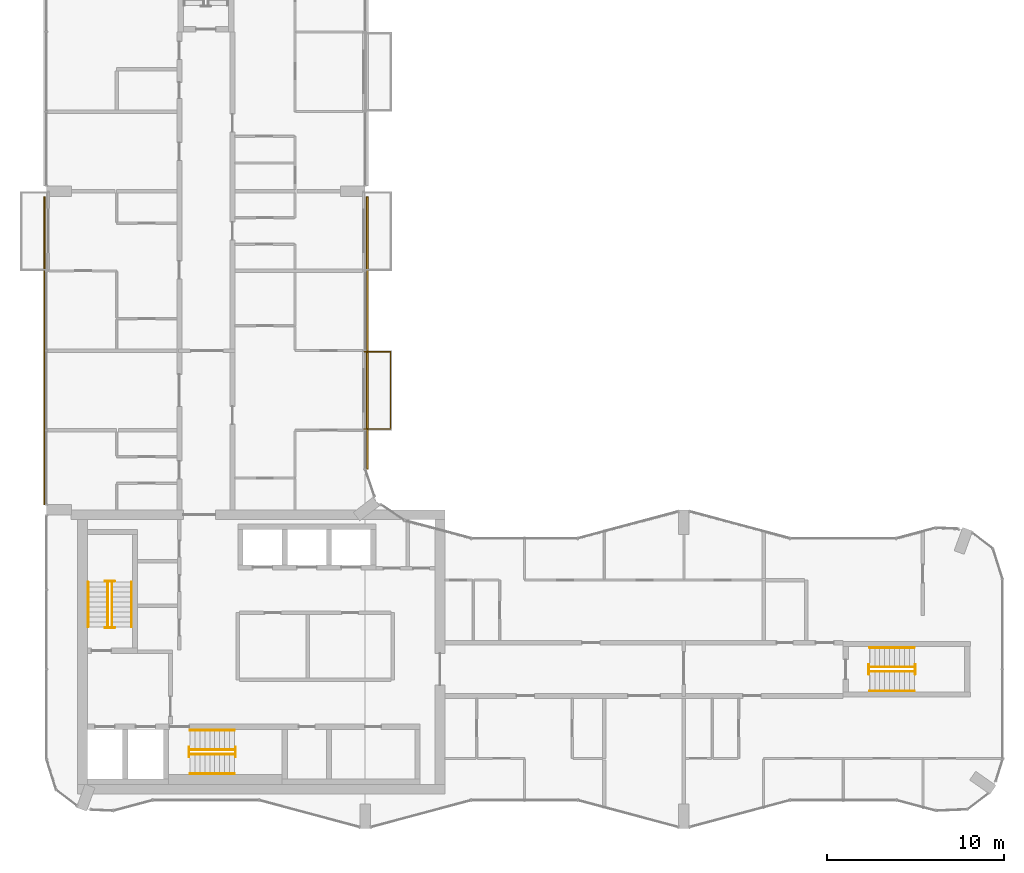
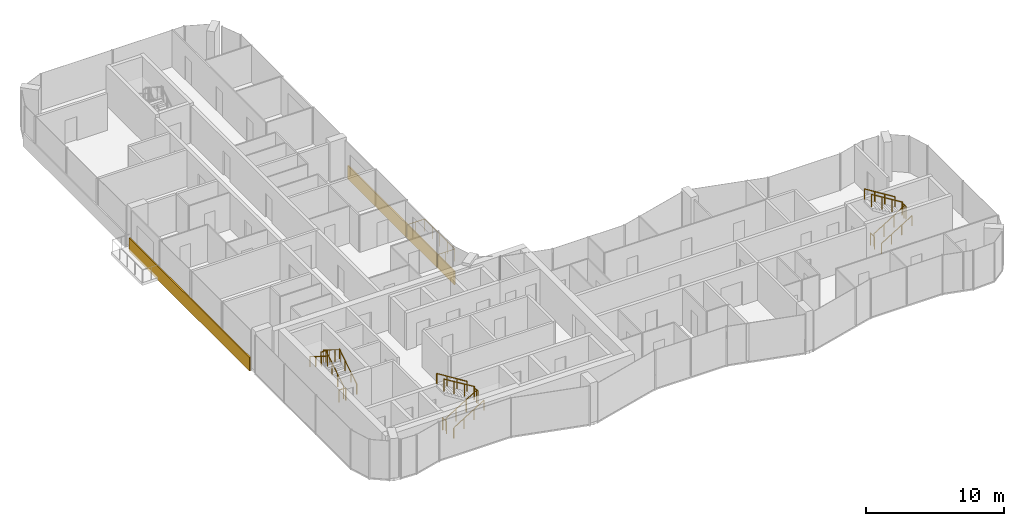
# One storey, part 14 of 15: 19 railings, 2 coverings.
"""IFC4 building model written with IfcOpenShell, lengths in metres."""

import ifcopenshell
import ifcopenshell.guid

model = None  # the IFC model being written
_history = None  # IfcOwnerHistory: only IFC2X3 demands one
_inside = {}  # id of a spatial element -> (the spatial element, [elements in it])
_under = {}  # id of a project, library or spatial element -> (it, [spatial elements below it])
_declared = {}  # id of a project -> (the project, [libraries it declares])
_typed = {}  # id of a type object -> (the type object, [elements of that type])
_made_of = {}  # id of a material, layer set ... -> (it, [elements and type objects made of it])


def new_model(schema):
    """Start an empty IFC model of exactly this schema.

    Asked for "IFC4X3", IfcOpenShell would pick the latest addendum, in which some entities
    have other attributes; the version numbers below select the first issue.
    IFC2X3 requires an IfcOwnerHistory on every rooted entity: one is made here for all.
    """
    global model, _history
    if schema == "IFC4X3":
        model = ifcopenshell.file(schema_version=(4, 3, 0, 0))
    else:
        model = ifcopenshell.file(schema=schema)
    _inside.clear()
    _under.clear()
    _declared.clear()
    _typed.clear()
    _made_of.clear()
    _history = None
    if model.schema == "IFC2X3":
        org = make("IfcOrganization", Name="unknown")
        user = make(
            "IfcPersonAndOrganization",
            ThePerson=make("IfcPerson", FamilyName="unknown"),
            TheOrganization=org,
        )
        app = make(
            "IfcApplication",
            ApplicationDeveloper=org,
            Version="unknown",
            ApplicationFullName="unknown",
            ApplicationIdentifier="unknown",
        )
        _history = make(
            "IfcOwnerHistory",
            OwningUser=user,
            OwningApplication=app,
            ChangeAction="ADDED",
            CreationDate=0,
        )
    return model


def make(cls, **values):
    """One entity of the class cls with the attributes given. An attribute that is None is left unset."""
    return model.create_entity(
        cls, **{name: value for name, value in values.items() if value is not None}
    )


def rooted(cls, **values):
    """An entity with a GlobalId (a new one), such as an element, a storey or a relation."""
    return make(cls, GlobalId=ifcopenshell.guid.new(), OwnerHistory=_history, **values)


def si_unit(unit_type, name, prefix=None):
    """IfcSIUnit, for example si_unit("LENGTHUNIT", "METRE", prefix="MILLI")."""
    return make("IfcSIUnit", UnitType=unit_type, Prefix=prefix, Name=name)


def assignment(units):
    """IfcUnitAssignment: the units of a project."""
    return None if units is None else make("IfcUnitAssignment", Units=units)


def point(xyz):
    """IfcCartesianPoint."""
    return None if xyz is None else make("IfcCartesianPoint", Coordinates=xyz)


def direction(xyz):
    """IfcDirection."""
    return None if xyz is None else make("IfcDirection", DirectionRatios=xyz)


def frame(location, z_axis=None, x_axis=None):
    """IfcAxis2Placement3D, a coordinate frame: its origin and axes. An axis left out is left unset."""
    return make(
        "IfcAxis2Placement3D",
        Location=point(location),
        Axis=direction(z_axis),
        RefDirection=direction(x_axis),
    )


def frame_2d(location, x_axis=None):
    """IfcAxis2Placement2D, a coordinate frame in the plane: its origin and x axis."""
    return make(
        "IfcAxis2Placement2D", Location=point(location), RefDirection=direction(x_axis)
    )


def origin():
    """The frame at (0, 0, 0) with its axes left unset."""
    return frame((0.0, 0.0, 0.0))


def origin_2d():
    """The frame at (0, 0) in the plane with its x axis left unset."""
    return frame_2d((0.0, 0.0))


def place(relative_to, where):
    """IfcLocalPlacement: puts the frame where relative to a parent placement (None: the world)."""
    return make(
        "IfcLocalPlacement", PlacementRelTo=relative_to, RelativePlacement=where
    )


def context(
    kind, dimensions, precision=None, world=None, true_north=None, identifier=None
):
    """IfcGeometricRepresentationContext, for example the 3D "Model" context."""
    return make(
        "IfcGeometricRepresentationContext",
        ContextIdentifier=identifier,
        ContextType=kind,
        CoordinateSpaceDimension=dimensions,
        Precision=precision,
        WorldCoordinateSystem=world,
        TrueNorth=true_north,
    )


def subcontext(parent, identifier, kind, view, scale=None):
    """IfcGeometricRepresentationSubContext, for example "Body" below "Model"."""
    return make(
        "IfcGeometricRepresentationSubContext",
        ContextIdentifier=identifier,
        ContextType=kind,
        ParentContext=parent,
        TargetScale=scale,
        TargetView=view,
    )


def project(units=None, contexts=None):
    """IfcProject with its units and contexts."""
    return rooted(
        "IfcProject",
        Name="project",
        RepresentationContexts=contexts,
        UnitsInContext=assignment(units),
    )


def spatial(cls, under=None, at=None, **own):
    """A site, building, storey or space (cls), placed at a placement, below another one or the project."""
    s = rooted(cls, ObjectPlacement=at, **own)
    if under is not None:
        _under.setdefault(under.id(), (under, []))[1].append(s)
    return s


def profile(cls, at=None, kind="AREA", **sizes):
    """A parametric profile (cls). Its sizes go by their IFC names, for example OverallWidth=200.0."""
    return make(cls, ProfileType=kind, Position=at, **sizes)


def rectangle(**sizes):
    """IfcRectangleProfileDef."""
    return profile("IfcRectangleProfileDef", **sizes)


def circle(**sizes):
    """IfcCircleProfileDef."""
    return profile("IfcCircleProfileDef", **sizes)


def extrude(swept, where, along, depth):
    """IfcExtrudedAreaSolid: the profile swept, set in the frame where, extruded along a direction by depth."""
    return make(
        "IfcExtrudedAreaSolid",
        SweptArea=swept,
        Position=where,
        ExtrudedDirection=direction(along),
        Depth=depth,
    )


def shape(context_of_items, identifier, shape_type, items):
    """IfcShapeRepresentation: the items that make up one representation, for example the "Body"."""
    return make(
        "IfcShapeRepresentation",
        ContextOfItems=context_of_items,
        RepresentationIdentifier=identifier,
        RepresentationType=shape_type,
        Items=items,
    )


def material(Name=None, Category=None):
    """IfcMaterial."""
    return make("IfcMaterial", Name=Name, Category=Category)


def layer(
    of_material, thickness, ventilated=None, Name=None, Category=None, Priority=None
):
    """IfcMaterialLayer: one layer of a wall or slab, of a material (None: an air gap)."""
    return make(
        "IfcMaterialLayer",
        Material=of_material,
        LayerThickness=thickness,
        IsVentilated=ventilated,
        Name=Name,
        Category=Category,
        Priority=Priority,
    )


def layer_set(layers, Name=None):
    """IfcMaterialLayerSet."""
    return make("IfcMaterialLayerSet", MaterialLayers=layers, LayerSetName=Name)


def made_of(thing, what):
    """Note that an element or type object is made of a material, layer set ...; save() writes the relation."""
    if what is not None:
        _made_of.setdefault(what.id(), (what, []))[1].append(thing)
    return thing


def type_object(cls, material=None, **own):
    """A type object (cls), such as IfcWallType, which elements share."""
    return made_of(rooted(cls, **own), material)


def element(
    cls,
    number,
    at=None,
    inside=None,
    cuts=None,
    type_object=None,
    material=None,
    context=None,
    identifier="Body",
    shape_type=None,
    held_by="IfcProductDefinitionShape",
    body=None,
    shapes=None,
    **own,
):
    """One element of the class cls, such as IfcWall. Its Tag is "e" and its number.

    at: its placement. inside: the storey or other place that contains it. cuts: it is an
    opening in that element (IfcRelVoidsElement). A single representation is given by context,
    identifier, shape_type and body (its items); several are given by shapes. held_by: the class
    of the entity that holds the representations. save() writes the other relations.
    """
    e = rooted(cls, Tag="e%d" % number, ObjectPlacement=at, **own)
    if body is not None:
        shapes = [shape(context, identifier, shape_type, body)]
    if shapes is not None:
        e.Representation = make(held_by, Representations=shapes)
    if inside is not None:
        _inside.setdefault(inside.id(), (inside, []))[1].append(e)
    if cuts is not None:
        rooted(
            "IfcRelVoidsElement", RelatingBuildingElement=cuts, RelatedOpeningElement=e
        )
    if type_object is not None:
        _typed.setdefault(type_object.id(), (type_object, []))[1].append(e)
    return made_of(e, material)


def aggregate(whole, parts):
    """IfcRelAggregates: a whole, such as a stair, and the parts it consists of."""
    return rooted("IfcRelAggregates", RelatingObject=whole, RelatedObjects=parts)


def save(model, path):
    """Write the relations noted so far, then the file.

    IfcRelAggregates (storeys below a building ...), IfcRelContainedInSpatialStructure (elements
    in a storey), IfcRelDefinesByType, IfcRelAssociatesMaterial and IfcRelDeclares: one each for
    every whole, place, type object, material and project.
    """
    for whole, parts in _under.values():
        aggregate(whole, parts)
    for where, things in _inside.values():
        rooted(
            "IfcRelContainedInSpatialStructure",
            RelatedElements=things,
            RelatingStructure=where,
        )
    for kind, things in _typed.values():
        rooted("IfcRelDefinesByType", RelatedObjects=things, RelatingType=kind)
    for what, things in _made_of.values():
        rooted("IfcRelAssociatesMaterial", RelatedObjects=things, RelatingMaterial=what)
    for by, libraries in _declared.values():
        rooted("IfcRelDeclares", RelatingContext=by, RelatedDefinitions=libraries)
    model.write(path)


model = new_model("IFC4")

# Units and contexts
model_context = context("Model", 3, precision=1e-05, world=origin(), true_north=direction((0.0, 1.0)))
body_context = subcontext(model_context, "Body", "Model", "MODEL_VIEW")
ifc_project = project(units=[si_unit("LENGTHUNIT", "METRE"), si_unit("AREAUNIT", "SQUARE_METRE"), si_unit("VOLUMEUNIT", "CUBIC_METRE"), si_unit("PLANEANGLEUNIT", "RADIAN"), si_unit("MASSUNIT", "GRAM", prefix="KILO")], contexts=[model_context])

# Site, building, storey
site_placement = place(None, origin())
site = spatial("IfcSite", under=ifc_project, at=site_placement, CompositionType="ELEMENT")
building_placement = place(site_placement, origin())
building = spatial("IfcBuilding", under=site, at=building_placement, Name="Plateau Cross Towers", CompositionType="ELEMENT")
storey_placement = place(building_placement, frame((0.0, 0.0, 201.39990234375)))
storey = spatial("IfcBuildingStorey", under=building, at=storey_placement, Name="L52", CompositionType="ELEMENT", Elevation=201.39990234375)

# Railings
ifc_material_1 = material(Name="Stainless steel and toughened glass", Category="steel")
railing_type_1 = type_object("IfcRailingType", Name="Glass balustrade guard 1100", PredefinedType="GUARDRAIL", material=ifc_material_1)
railing_1_placement = place(storey_placement, frame((17.949951171875, 26.929931640625, 0.0)))
element("IfcRailing", 1, at=railing_1_placement, inside=storey, type_object=railing_type_1, Name="Guard guard1", PredefinedType="GUARDRAIL", context=body_context, shape_type="SweptSolid", body=[
    extrude(circle(Radius=0.02392578125, at=origin_2d()), frame((0.0, 0.0, 1.076171875), z_axis=(1.0, 0.0, 0.0), x_axis=(0.0, 1.0, 0.0)), (0.0, 0.0, 1.0), 1.47998046875),
    extrude(circle(Radius=0.02392578125, at=origin_2d()), frame((1.47998046875, 0.0, 1.076171875), z_axis=(0.0, -1.0, 0.0), x_axis=(1.0, 0.0, 0.0)), (0.0, 0.0, 1.0), 4.35986328125),
    extrude(circle(Radius=0.02392578125, at=origin_2d()), frame((1.47998046875, -4.35986328125, 1.076171875), z_axis=(-1.0, 0.0, 0.0), x_axis=(0.0, -1.0, 0.0)), (0.0, 0.0, 1.0), 1.47998046875),
    extrude(circle(Radius=0.02099609375, at=origin_2d()), origin(), (0.0, 0.0, 1.0), 1.052001953125),
    extrude(circle(Radius=0.02099609375, at=origin_2d()), frame((0.739990234375, 0.0, 0.0)), (0.0, 0.0, 1.0), 1.052001953125),
    extrude(circle(Radius=0.02099609375, at=origin_2d()), frame((1.47998046875, 0.0, 0.0)), (0.0, 0.0, 1.0), 1.052001953125),
    extrude(circle(Radius=0.02099609375, at=origin_2d()), frame((1.47998046875, -1.08984375, 0.0)), (0.0, 0.0, 1.0), 1.052001953125),
    extrude(circle(Radius=0.02099609375, at=origin_2d()), frame((1.47998046875, -2.179931640625, 0.0)), (0.0, 0.0, 1.0), 1.052001953125),
    extrude(circle(Radius=0.02099609375, at=origin_2d()), frame((1.47998046875, -3.27001953125, 0.0)), (0.0, 0.0, 1.0), 1.052001953125),
    extrude(circle(Radius=0.02099609375, at=origin_2d()), frame((1.47998046875, -4.35986328125, 0.0)), (0.0, 0.0, 1.0), 1.052001953125),
    extrude(circle(Radius=0.02099609375, at=origin_2d()), frame((0.739990234375, -4.35986328125, 0.0)), (0.0, 0.0, 1.0), 1.052001953125),
    extrude(circle(Radius=0.02099609375, at=origin_2d()), frame((0.0, -4.35986328125, 0.0)), (0.0, 0.0, 1.0), 1.052001953125),
])
railing_type_2 = type_object("IfcRailingType", Name="RL-GUARD-1100", PredefinedType="GUARDRAIL", material=ifc_material_1)
railing_2_placement = place(storey_placement, frame((3.699951171875, 11.39990234375, 0.175048828125)))
element("IfcRailing", 2, at=railing_2_placement, inside=storey, type_object=railing_type_2, Name="L52 ST-1 stair guard 1", PredefinedType="GUARDRAIL", context=body_context, shape_type="SweptSolid", body=[
    extrude(circle(Radius=0.02392578125, at=origin_2d()), frame((0.0, 0.0, 1.076171875), z_axis=(0.0, 0.848007534815, 0.529984170421), x_axis=(-1.0, 0.0, 0.0)), (0.0, 0.0, 1.0), 2.9716796875),
    extrude(circle(Radius=0.02099609375, at=origin_2d()), origin(), (0.0, 0.0, 1.0), 1.052001953125),
    extrude(circle(Radius=0.02099609375, at=origin_2d()), frame((0.0, 0.840087890625, 0.52490234375)), (0.0, 0.0, 1.0), 1.052001953125),
    extrude(circle(Radius=0.02099609375, at=origin_2d()), frame((0.0, 1.679931640625, 1.050048828125)), (0.0, 0.0, 1.0), 1.052001953125),
    extrude(circle(Radius=0.02099609375, at=origin_2d()), frame((0.0, 2.52001953125, 1.574951171875)), (0.0, 0.0, 1.0), 1.052001953125),
])
railing_3_placement = place(storey_placement, frame((3.85009765625, 13.969970703125, 1.75)))
element("IfcRailing", 3, at=railing_3_placement, inside=storey, type_object=railing_type_2, Name="L52 ST-1 stair guard 2", PredefinedType="GUARDRAIL", context=body_context, shape_type="SweptSolid", body=[
    extrude(circle(Radius=0.02392578125, at=origin_2d()), frame((0.0, 0.0, 1.076171875), z_axis=(-1.0, 0.0, 0.0), x_axis=(0.0, -1.0, 0.0)), (0.0, 0.0, 1.0), 0.550048828125),
    extrude(circle(Radius=0.02099609375, at=origin_2d()), origin(), (0.0, 0.0, 1.0), 1.052001953125),
    extrude(circle(Radius=0.02099609375, at=origin_2d()), frame((-0.550048828125, 0.0, 0.0)), (0.0, 0.0, 1.0), 1.052001953125),
])
railing_4_placement = place(storey_placement, frame((3.449951171875, 13.919921875, 1.925048828125)))
element("IfcRailing", 4, at=railing_4_placement, inside=storey, type_object=railing_type_2, Name="L52 ST-1 stair guard 3", PredefinedType="GUARDRAIL", context=body_context, shape_type="SweptSolid", body=[
    extrude(circle(Radius=0.02392578125, at=origin_2d()), frame((0.0, 0.0, 1.076171875), z_axis=(0.0, -0.852616386126, 0.522537365276), x_axis=(1.0, 0.0, 0.0)), (0.0, 0.0, 1.0), 3.01416015625),
    extrude(circle(Radius=0.02099609375, at=origin_2d()), origin(), (0.0, 0.0, 1.0), 1.052001953125),
    extrude(circle(Radius=0.02099609375, at=origin_2d()), frame((0.0, -0.856689453125, 0.52490234375)), (0.0, 0.0, 1.0), 1.052001953125),
    extrude(circle(Radius=0.02099609375, at=origin_2d()), frame((0.0, -1.713134765625, 1.050048828125)), (0.0, 0.0, 1.0), 1.052001953125),
    extrude(circle(Radius=0.02099609375, at=origin_2d()), frame((0.0, -2.56982421875, 1.574951171875)), (0.0, 0.0, 1.0), 1.052001953125),
])
railing_5_placement = place(storey_placement, frame((3.85009765625, 11.35009765625, 0.0)))
element("IfcRailing", 5, at=railing_5_placement, inside=storey, type_object=railing_type_2, Name="L52 ST-1 stair guard 4", PredefinedType="GUARDRAIL", context=body_context, shape_type="SweptSolid", body=[
    extrude(circle(Radius=0.02392578125, at=origin_2d()), frame((0.0, 0.0, 1.076171875), z_axis=(-1.0, 0.0, 0.0), x_axis=(0.0, -1.0, 0.0)), (0.0, 0.0, 1.0), 0.550048828125),
    extrude(circle(Radius=0.02099609375, at=origin_2d()), origin(), (0.0, 0.0, 1.0), 1.052001953125),
    extrude(circle(Radius=0.02099609375, at=origin_2d()), frame((-0.550048828125, 0.0, 0.0)), (0.0, 0.0, 1.0), 1.052001953125),
])
railing_6_placement = place(storey_placement, frame((8.10009765625, 4.199951171875, 0.175048828125)))
element("IfcRailing", 6, at=railing_6_placement, inside=storey, type_object=railing_type_2, Name="L52 ST-2 stair guard 1", PredefinedType="GUARDRAIL", context=body_context, shape_type="SweptSolid", body=[
    extrude(circle(Radius=0.02392578125, at=origin_2d()), frame((0.0, 0.0, 1.076171875), z_axis=(0.848007534815, 0.0, 0.529984170421), x_axis=(0.0, 1.0, 0.0)), (0.0, 0.0, 1.0), 2.9716796875),
    extrude(circle(Radius=0.02099609375, at=origin_2d()), origin(), (0.0, 0.0, 1.0), 1.052001953125),
    extrude(circle(Radius=0.02099609375, at=origin_2d()), frame((0.840087890625, 0.0, 0.52490234375)), (0.0, 0.0, 1.0), 1.052001953125),
    extrude(circle(Radius=0.02099609375, at=origin_2d()), frame((1.679931640625, 0.0, 1.050048828125)), (0.0, 0.0, 1.0), 1.052001953125),
    extrude(circle(Radius=0.02099609375, at=origin_2d()), frame((2.52001953125, 0.0, 1.574951171875)), (0.0, 0.0, 1.0), 1.052001953125),
])
railing_7_placement = place(storey_placement, frame((10.669921875, 4.050048828125, 1.75)))
element("IfcRailing", 7, at=railing_7_placement, inside=storey, type_object=railing_type_2, Name="L52 ST-2 stair guard 2", PredefinedType="GUARDRAIL", context=body_context, shape_type="SweptSolid", body=[
    extrude(circle(Radius=0.02392578125, at=origin_2d()), frame((0.0, 0.0, 1.076171875), z_axis=(0.0, 1.0, 0.0), x_axis=(-1.0, 0.0, 0.0)), (0.0, 0.0, 1.0), 0.550048828125),
    extrude(circle(Radius=0.02099609375, at=origin_2d()), origin(), (0.0, 0.0, 1.0), 1.052001953125),
    extrude(circle(Radius=0.02099609375, at=origin_2d()), frame((0.0, 0.550048828125, 0.0)), (0.0, 0.0, 1.0), 1.052001953125),
])
railing_8_placement = place(storey_placement, frame((10.6201171875, 4.449951171875, 1.925048828125)))
element("IfcRailing", 8, at=railing_8_placement, inside=storey, type_object=railing_type_2, Name="L52 ST-2 stair guard 3", PredefinedType="GUARDRAIL", context=body_context, shape_type="SweptSolid", body=[
    extrude(circle(Radius=0.02392578125, at=origin_2d()), frame((0.0, 0.0, 1.076171875), z_axis=(-0.852638500773, 0.0, 0.522501279423), x_axis=(0.0, -1.0, 0.0)), (0.0, 0.0, 1.0), 3.01416015625),
    extrude(circle(Radius=0.02099609375, at=origin_2d()), origin(), (0.0, 0.0, 1.0), 1.052001953125),
    extrude(circle(Radius=0.02099609375, at=origin_2d()), frame((-0.856689453125, 0.0, 0.52490234375)), (0.0, 0.0, 1.0), 1.052001953125),
    extrude(circle(Radius=0.02099609375, at=origin_2d()), frame((-1.71337890625, 0.0, 1.050048828125)), (0.0, 0.0, 1.0), 1.052001953125),
    extrude(circle(Radius=0.02099609375, at=origin_2d()), frame((-2.570068359375, 0.0, 1.574951171875)), (0.0, 0.0, 1.0), 1.052001953125),
])
railing_9_placement = place(storey_placement, frame((8.050048828125, 4.050048828125, 0.0)))
element("IfcRailing", 9, at=railing_9_placement, inside=storey, type_object=railing_type_2, Name="L52 ST-2 stair guard 4", PredefinedType="GUARDRAIL", context=body_context, shape_type="SweptSolid", body=[
    extrude(circle(Radius=0.02392578125, at=origin_2d()), frame((0.0, 0.0, 1.076171875), z_axis=(0.0, 1.0, 0.0), x_axis=(-1.0, 0.0, 0.0)), (0.0, 0.0, 1.0), 0.550048828125),
    extrude(circle(Radius=0.02099609375, at=origin_2d()), origin(), (0.0, 0.0, 1.0), 1.052001953125),
    extrude(circle(Radius=0.02099609375, at=origin_2d()), frame((0.0, 0.550048828125, 0.0)), (0.0, 0.0, 1.0), 1.052001953125),
])
railing_10_placement = place(storey_placement, frame((46.5, 8.875, 0.175048828125)))
element("IfcRailing", 10, at=railing_10_placement, inside=storey, type_object=railing_type_2, Name="L52 ES-E stair guard 1", PredefinedType="GUARDRAIL", context=body_context, shape_type="SweptSolid", body=[
    extrude(circle(Radius=0.02392578125, at=origin_2d()), frame((0.0, 0.0, 1.076171875), z_axis=(0.848007534815, 0.0, 0.529984170421), x_axis=(0.0, 1.0, 0.0)), (0.0, 0.0, 1.0), 2.9716796875),
    extrude(circle(Radius=0.02099609375, at=origin_2d()), origin(), (0.0, 0.0, 1.0), 1.052001953125),
    extrude(circle(Radius=0.02099609375, at=origin_2d()), frame((0.840087890625, 0.0, 0.52490234375)), (0.0, 0.0, 1.0), 1.052001953125),
    extrude(circle(Radius=0.02099609375, at=origin_2d()), frame((1.679931640625, 0.0, 1.050048828125)), (0.0, 0.0, 1.0), 1.052001953125),
    extrude(circle(Radius=0.02099609375, at=origin_2d()), frame((2.52001953125, 0.0, 1.574951171875)), (0.0, 0.0, 1.0), 1.052001953125),
])
railing_11_placement = place(storey_placement, frame((49.070068359375, 8.72509765625, 1.75)))
element("IfcRailing", 11, at=railing_11_placement, inside=storey, type_object=railing_type_2, Name="L52 ES-E stair guard 2", PredefinedType="GUARDRAIL", context=body_context, shape_type="SweptSolid", body=[
    extrude(circle(Radius=0.02392578125, at=origin_2d()), frame((0.0, 0.0, 1.076171875), z_axis=(0.0, 1.0, 0.0), x_axis=(-1.0, 0.0, 0.0)), (0.0, 0.0, 1.0), 0.5498046875),
    extrude(circle(Radius=0.02099609375, at=origin_2d()), origin(), (0.0, 0.0, 1.0), 1.052001953125),
    extrude(circle(Radius=0.02099609375, at=origin_2d()), frame((0.0, 0.5498046875, 0.0)), (0.0, 0.0, 1.0), 1.052001953125),
])
railing_12_placement = place(storey_placement, frame((49.02001953125, 9.125, 1.925048828125)))
element("IfcRailing", 12, at=railing_12_placement, inside=storey, type_object=railing_type_2, Name="L52 ES-E stair guard 3", PredefinedType="GUARDRAIL", context=body_context, shape_type="SweptSolid", body=[
    extrude(circle(Radius=0.02392578125, at=origin_2d()), frame((0.0, 0.0, 1.076171875), z_axis=(-0.852638500773, 0.0, 0.522501279423), x_axis=(0.0, -1.0, 0.0)), (0.0, 0.0, 1.0), 3.01416015625),
    extrude(circle(Radius=0.02099609375, at=origin_2d()), origin(), (0.0, 0.0, 1.0), 1.052001953125),
    extrude(circle(Radius=0.02099609375, at=origin_2d()), frame((-0.856689453125, 0.0, 0.52490234375)), (0.0, 0.0, 1.0), 1.052001953125),
    extrude(circle(Radius=0.02099609375, at=origin_2d()), frame((-1.71337890625, 0.0, 1.050048828125)), (0.0, 0.0, 1.0), 1.052001953125),
    extrude(circle(Radius=0.02099609375, at=origin_2d()), frame((-2.570068359375, 0.0, 1.574951171875)), (0.0, 0.0, 1.0), 1.052001953125),
])
railing_13_placement = place(storey_placement, frame((46.449951171875, 8.72509765625, 0.0)))
element("IfcRailing", 13, at=railing_13_placement, inside=storey, type_object=railing_type_2, Name="L52 ES-E stair guard 4", PredefinedType="GUARDRAIL", context=body_context, shape_type="SweptSolid", body=[
    extrude(circle(Radius=0.02392578125, at=origin_2d()), frame((0.0, 0.0, 1.076171875), z_axis=(0.0, 1.0, 0.0), x_axis=(-1.0, 0.0, 0.0)), (0.0, 0.0, 1.0), 0.5498046875),
    extrude(circle(Radius=0.02099609375, at=origin_2d()), origin(), (0.0, 0.0, 1.0), 1.052001953125),
    extrude(circle(Radius=0.02099609375, at=origin_2d()), frame((0.0, 0.5498046875, 0.0)), (0.0, 0.0, 1.0), 1.052001953125),
])
ifc_material_2 = material(Name="Black anodised aluminium", Category="aluminium")
railing_type_3 = type_object("IfcRailingType", Name="RL-HANDRAIL-900", PredefinedType="HANDRAIL", material=ifc_material_2)
railing_14_placement = place(storey_placement, frame((4.800048828125, 11.39990234375, 0.175048828125)))
element("IfcRailing", 14, at=railing_14_placement, inside=storey, type_object=railing_type_3, Name="L52 ST-1 stair handrail 1", PredefinedType="HANDRAIL", context=body_context, shape_type="SweptSolid", body=[
    extrude(circle(Radius=0.02392578125, at=origin_2d()), frame((0.0, 0.0, 0.8759765625), z_axis=(0.0, 0.848007534815, 0.529984170421), x_axis=(-1.0, 0.0, 0.0)), (0.0, 0.0, 1.0), 2.9716796875),
    extrude(circle(Radius=0.02099609375, at=origin_2d()), origin(), (0.0, 0.0, 1.0), 0.851806640625),
    extrude(circle(Radius=0.02099609375, at=origin_2d()), frame((0.0, 0.840087890625, 0.52490234375)), (0.0, 0.0, 1.0), 0.851806640625),
    extrude(circle(Radius=0.02099609375, at=origin_2d()), frame((0.0, 1.679931640625, 1.050048828125)), (0.0, 0.0, 1.0), 0.851806640625),
    extrude(circle(Radius=0.02099609375, at=origin_2d()), frame((0.0, 2.52001953125, 1.574951171875)), (0.0, 0.0, 1.0), 0.851806640625),
])
railing_15_placement = place(storey_placement, frame((2.35009765625, 13.919921875, 1.925048828125)))
element("IfcRailing", 15, at=railing_15_placement, inside=storey, type_object=railing_type_3, Name="L52 ST-1 stair handrail 2", PredefinedType="HANDRAIL", context=body_context, shape_type="SweptSolid", body=[
    extrude(circle(Radius=0.02392578125, at=origin_2d()), frame((0.0, 0.0, 0.8759765625), z_axis=(0.0, -0.848007534815, 0.529984170421), x_axis=(1.0, 0.0, 0.0)), (0.0, 0.0, 1.0), 2.9716796875),
    extrude(circle(Radius=0.02099609375, at=origin_2d()), origin(), (0.0, 0.0, 1.0), 0.851806640625),
    extrude(circle(Radius=0.02099609375, at=origin_2d()), frame((0.0, -0.840087890625, 0.52490234375)), (0.0, 0.0, 1.0), 0.851806640625),
    extrude(circle(Radius=0.02099609375, at=origin_2d()), frame((0.0, -1.679931640625, 1.050048828125)), (0.0, 0.0, 1.0), 0.851806640625),
    extrude(circle(Radius=0.02099609375, at=origin_2d()), frame((0.0, -2.52001953125, 1.574951171875)), (0.0, 0.0, 1.0), 0.851806640625),
])
railing_16_placement = place(storey_placement, frame((8.10009765625, 3.10009765625, 0.175048828125)))
element("IfcRailing", 16, at=railing_16_placement, inside=storey, type_object=railing_type_3, Name="L52 ST-2 stair handrail 1", PredefinedType="HANDRAIL", context=body_context, shape_type="SweptSolid", body=[
    extrude(circle(Radius=0.02392578125, at=origin_2d()), frame((0.0, 0.0, 0.8759765625), z_axis=(0.848007534815, 0.0, 0.529984170421), x_axis=(0.0, 1.0, 0.0)), (0.0, 0.0, 1.0), 2.9716796875),
    extrude(circle(Radius=0.02099609375, at=origin_2d()), origin(), (0.0, 0.0, 1.0), 0.851806640625),
    extrude(circle(Radius=0.02099609375, at=origin_2d()), frame((0.840087890625, 0.0, 0.52490234375)), (0.0, 0.0, 1.0), 0.851806640625),
    extrude(circle(Radius=0.02099609375, at=origin_2d()), frame((1.679931640625, 0.0, 1.050048828125)), (0.0, 0.0, 1.0), 0.851806640625),
    extrude(circle(Radius=0.02099609375, at=origin_2d()), frame((2.52001953125, 0.0, 1.574951171875)), (0.0, 0.0, 1.0), 0.851806640625),
])
railing_17_placement = place(storey_placement, frame((10.6201171875, 5.550048828125, 1.925048828125)))
element("IfcRailing", 17, at=railing_17_placement, inside=storey, type_object=railing_type_3, Name="L52 ST-2 stair handrail 2", PredefinedType="HANDRAIL", context=body_context, shape_type="SweptSolid", body=[
    extrude(circle(Radius=0.02392578125, at=origin_2d()), frame((0.0, 0.0, 0.8759765625), z_axis=(-0.848007534815, 0.0, 0.529984170421), x_axis=(0.0, -1.0, 0.0)), (0.0, 0.0, 1.0), 2.9716796875),
    extrude(circle(Radius=0.02099609375, at=origin_2d()), origin(), (0.0, 0.0, 1.0), 0.851806640625),
    extrude(circle(Radius=0.02099609375, at=origin_2d()), frame((-0.840087890625, 0.0, 0.52490234375)), (0.0, 0.0, 1.0), 0.851806640625),
    extrude(circle(Radius=0.02099609375, at=origin_2d()), frame((-1.679931640625, 0.0, 1.050048828125)), (0.0, 0.0, 1.0), 0.851806640625),
    extrude(circle(Radius=0.02099609375, at=origin_2d()), frame((-2.52001953125, 0.0, 1.574951171875)), (0.0, 0.0, 1.0), 0.851806640625),
])
railing_18_placement = place(storey_placement, frame((46.5, 7.77490234375, 0.175048828125)))
element("IfcRailing", 18, at=railing_18_placement, inside=storey, type_object=railing_type_3, Name="L52 ES-E stair handrail 1", PredefinedType="HANDRAIL", context=body_context, shape_type="SweptSolid", body=[
    extrude(circle(Radius=0.02392578125, at=origin_2d()), frame((0.0, 0.0, 0.8759765625), z_axis=(0.848007534815, 0.0, 0.529984170421), x_axis=(0.0, 1.0, 0.0)), (0.0, 0.0, 1.0), 2.9716796875),
    extrude(circle(Radius=0.02099609375, at=origin_2d()), origin(), (0.0, 0.0, 1.0), 0.851806640625),
    extrude(circle(Radius=0.02099609375, at=origin_2d()), frame((0.840087890625, 0.0, 0.52490234375)), (0.0, 0.0, 1.0), 0.851806640625),
    extrude(circle(Radius=0.02099609375, at=origin_2d()), frame((1.679931640625, 0.0, 1.050048828125)), (0.0, 0.0, 1.0), 0.851806640625),
    extrude(circle(Radius=0.02099609375, at=origin_2d()), frame((2.52001953125, 0.0, 1.574951171875)), (0.0, 0.0, 1.0), 0.851806640625),
])
railing_19_placement = place(storey_placement, frame((49.02001953125, 10.22509765625, 1.925048828125)))
element("IfcRailing", 19, at=railing_19_placement, inside=storey, type_object=railing_type_3, Name="L52 ES-E stair handrail 2", PredefinedType="HANDRAIL", context=body_context, shape_type="SweptSolid", body=[
    extrude(circle(Radius=0.02392578125, at=origin_2d()), frame((0.0, 0.0, 0.8759765625), z_axis=(-0.848007534815, 0.0, 0.529984170421), x_axis=(0.0, -1.0, 0.0)), (0.0, 0.0, 1.0), 2.9716796875),
    extrude(circle(Radius=0.02099609375, at=origin_2d()), origin(), (0.0, 0.0, 1.0), 0.851806640625),
    extrude(circle(Radius=0.02099609375, at=origin_2d()), frame((-0.840087890625, 0.0, 0.52490234375)), (0.0, 0.0, 1.0), 0.851806640625),
    extrude(circle(Radius=0.02099609375, at=origin_2d()), frame((-1.679931640625, 0.0, 1.050048828125)), (0.0, 0.0, 1.0), 0.851806640625),
    extrude(circle(Radius=0.02099609375, at=origin_2d()), frame((-2.52001953125, 0.0, 1.574951171875)), (0.0, 0.0, 1.0), 0.851806640625),
])

# Coverings
ifc_material_3 = material(Name="Precast concrete cladding C40/50", Category="concrete")
ifc_layer = layer(ifc_material_3, 0.10009765625)
ifc_layer_set = layer_set([ifc_layer], Name="Precast concrete cladding C40/50")
covering_type = type_object("IfcCoveringType", Name="Spandrel band cladding 100x1200", PredefinedType="CLADDING", material=ifc_layer_set)
covering_1_placement = place(storey_placement, frame((18.1201171875, 28.001220703125, -0.25), z_axis=(0.0, 0.0, 1.0), x_axis=(0.0, 1.0, 0.0)))
element("IfcCovering", 20, at=covering_1_placement, inside=storey, type_object=covering_type, Name="Spandrel band", PredefinedType="CLADDING", context=body_context, shape_type="SweptSolid", body=[
    extrude(rectangle(XDim=15.397705078125, YDim=0.10009765625, at=origin_2d()), origin(), (0.0, 0.0, 1.0), 1.199951171875),
])
covering_2_placement = place(storey_placement, frame((-0.1201171875, 27.0, -0.25), z_axis=(0.0, 0.0, 1.0), x_axis=(0.0, -1.0, 0.0)))
element("IfcCovering", 21, at=covering_2_placement, inside=storey, type_object=covering_type, Name="Spandrel band", PredefinedType="CLADDING", context=body_context, shape_type="SweptSolid", body=[
    extrude(rectangle(XDim=17.39990234375, YDim=0.10009765625, at=origin_2d()), origin(), (0.0, 0.0, 1.0), 1.199951171875),
])

save(model, "model.ifc")
